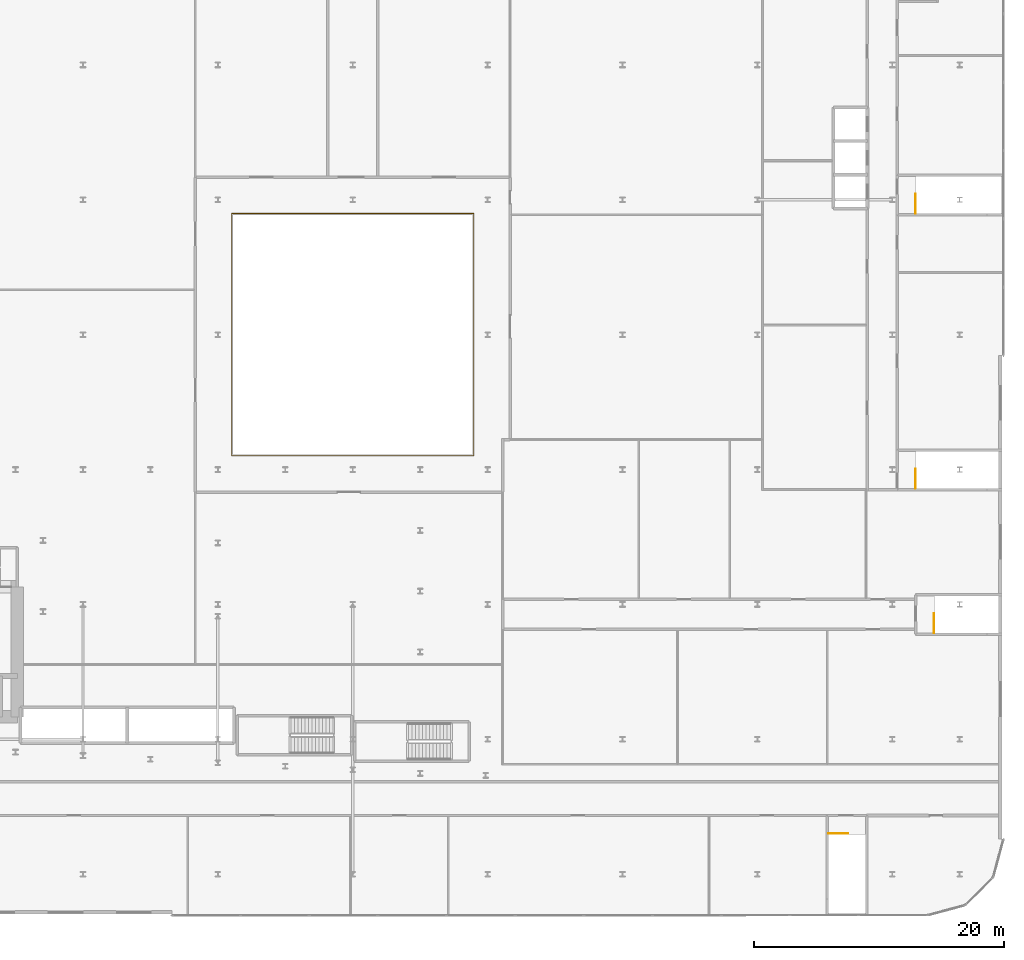
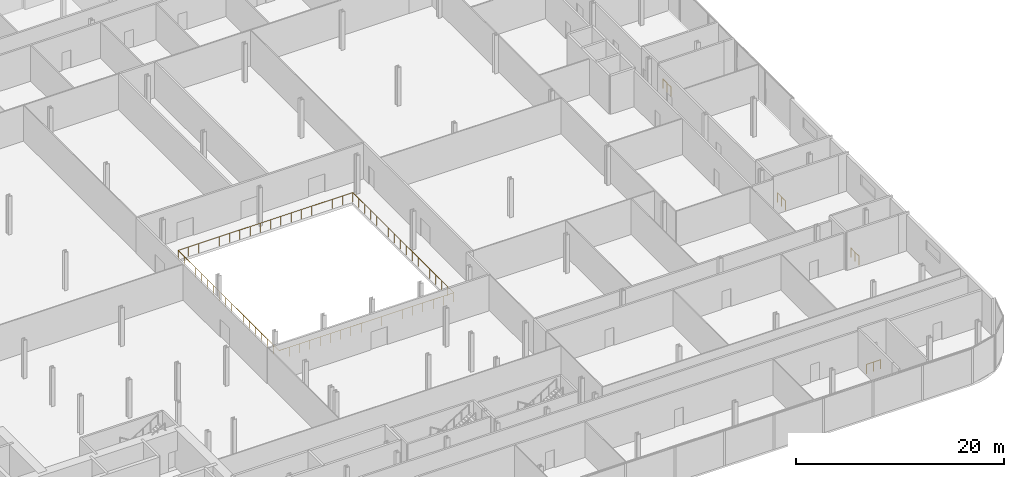
# One storey, part 41 of 43: 5 railings.
"""IFC4 building model written with IfcOpenShell, lengths in metres."""

from ifc_helpers import new_model, si_unit, direction, frame, origin, origin_2d, place, context, subcontext, project, spatial, circle, extrude, material, type_object, element, save


model = new_model("IFC4")

# Units and contexts
model_context = context("Model", 3, precision=1e-05, world=origin(), true_north=direction((0.0, 1.0)))
body_context = subcontext(model_context, "Body", "Model", "MODEL_VIEW")
ifc_project = project(units=[si_unit("LENGTHUNIT", "METRE"), si_unit("AREAUNIT", "SQUARE_METRE"), si_unit("VOLUMEUNIT", "CUBIC_METRE"), si_unit("PLANEANGLEUNIT", "RADIAN"), si_unit("MASSUNIT", "GRAM", prefix="KILO")], contexts=[model_context])

# Site, building, storey
site_placement = place(None, origin())
site = spatial("IfcSite", under=ifc_project, at=site_placement, CompositionType="ELEMENT")
building_placement = place(site_placement, origin())
building = spatial("IfcBuilding", under=site, at=building_placement, Name="Kheshtan School and Residences Tower", CompositionType="ELEMENT")
storey_placement = place(building_placement, frame((0.0, 0.0, 26.0)))
storey = spatial("IfcBuildingStorey", under=building, at=storey_placement, Name="L05", CompositionType="ELEMENT", Elevation=26.0)

# Railings
ifc_material = material(Name="Stainless steel balustrade", Category="steel")
railing_type_1 = type_object("IfcRailingType", Name="Loggia guard 1100", PredefinedType="GUARDRAIL", material=ifc_material)
railing_1_placement = place(storey_placement, frame((89.699951171875, 46.699951171875, 0.0)))
element("IfcRailing", 1, at=railing_1_placement, inside=storey, type_object=railing_type_1, Name="Guard L05 A1", PredefinedType="GUARDRAIL", context=body_context, shape_type="SweptSolid", body=[
    extrude(circle(Radius=0.02392578125, at=origin_2d()), frame((0.0, 0.0, 1.076171875), z_axis=(-1.0, 0.0, 0.0), x_axis=(0.0, -1.0, 0.0)), (0.0, 0.0, 1.0), 19.39990234375),
    extrude(circle(Radius=0.02392578125, at=origin_2d()), frame((-19.39990234375, 0.0, 1.076171875), z_axis=(0.0, 1.0, 0.0), x_axis=(-1.0, 0.0, 0.0)), (0.0, 0.0, 1.0), 19.400146484375),
    extrude(circle(Radius=0.02392578125, at=origin_2d()), frame((-19.39990234375, 19.400146484375, 1.076171875), z_axis=(1.0, 0.0, 0.0), x_axis=(0.0, 1.0, 0.0)), (0.0, 0.0, 1.0), 19.39990234375),
    extrude(circle(Radius=0.02392578125, at=origin_2d()), frame((0.0, 19.400146484375, 1.076171875), z_axis=(0.0, -1.0, 0.0), x_axis=(1.0, 0.0, 0.0)), (0.0, 0.0, 1.0), 19.400146484375),
    extrude(circle(Radius=0.02099609375, at=origin_2d()), origin(), (0.0, 0.0, 1.0), 1.052001953125),
    extrude(circle(Radius=0.02099609375, at=origin_2d()), frame((-1.14111328125, 0.0, 0.0)), (0.0, 0.0, 1.0), 1.052001953125),
    extrude(circle(Radius=0.02099609375, at=origin_2d()), frame((-2.2822265625, 0.0, 0.0)), (0.0, 0.0, 1.0), 1.052001953125),
    extrude(circle(Radius=0.02099609375, at=origin_2d()), frame((-3.423583984375, 0.0, 0.0)), (0.0, 0.0, 1.0), 1.052001953125),
    extrude(circle(Radius=0.02099609375, at=origin_2d()), frame((-4.564697265625, 0.0, 0.0)), (0.0, 0.0, 1.0), 1.052001953125),
    extrude(circle(Radius=0.02099609375, at=origin_2d()), frame((-5.705810546875, 0.0, 0.0)), (0.0, 0.0, 1.0), 1.052001953125),
    extrude(circle(Radius=0.02099609375, at=origin_2d()), frame((-6.846923828125, 0.0, 0.0)), (0.0, 0.0, 1.0), 1.052001953125),
    extrude(circle(Radius=0.02099609375, at=origin_2d()), frame((-7.98828125, 0.0, 0.0)), (0.0, 0.0, 1.0), 1.052001953125),
    extrude(circle(Radius=0.02099609375, at=origin_2d()), frame((-9.12939453125, 0.0, 0.0)), (0.0, 0.0, 1.0), 1.052001953125),
    extrude(circle(Radius=0.02099609375, at=origin_2d()), frame((-10.2705078125, 0.0, 0.0)), (0.0, 0.0, 1.0), 1.052001953125),
    extrude(circle(Radius=0.02099609375, at=origin_2d()), frame((-11.41162109375, 0.0, 0.0)), (0.0, 0.0, 1.0), 1.052001953125),
    extrude(circle(Radius=0.02099609375, at=origin_2d()), frame((-12.552978515625, 0.0, 0.0)), (0.0, 0.0, 1.0), 1.052001953125),
    extrude(circle(Radius=0.02099609375, at=origin_2d()), frame((-13.694091796875, 0.0, 0.0)), (0.0, 0.0, 1.0), 1.052001953125),
    extrude(circle(Radius=0.02099609375, at=origin_2d()), frame((-14.835205078125, 0.0, 0.0)), (0.0, 0.0, 1.0), 1.052001953125),
    extrude(circle(Radius=0.02099609375, at=origin_2d()), frame((-15.976318359375, 0.0, 0.0)), (0.0, 0.0, 1.0), 1.052001953125),
    extrude(circle(Radius=0.02099609375, at=origin_2d()), frame((-17.11767578125, 0.0, 0.0)), (0.0, 0.0, 1.0), 1.052001953125),
    extrude(circle(Radius=0.02099609375, at=origin_2d()), frame((-18.2587890625, 0.0, 0.0)), (0.0, 0.0, 1.0), 1.052001953125),
    extrude(circle(Radius=0.02099609375, at=origin_2d()), frame((-19.39990234375, 0.0, 0.0)), (0.0, 0.0, 1.0), 1.052001953125),
    extrude(circle(Radius=0.02099609375, at=origin_2d()), frame((-19.39990234375, 1.14111328125, 0.0)), (0.0, 0.0, 1.0), 1.052001953125),
    extrude(circle(Radius=0.02099609375, at=origin_2d()), frame((-19.39990234375, 2.282470703125, 0.0)), (0.0, 0.0, 1.0), 1.052001953125),
    extrude(circle(Radius=0.02099609375, at=origin_2d()), frame((-19.39990234375, 3.423583984375, 0.0)), (0.0, 0.0, 1.0), 1.052001953125),
    extrude(circle(Radius=0.02099609375, at=origin_2d()), frame((-19.39990234375, 4.564697265625, 0.0)), (0.0, 0.0, 1.0), 1.052001953125),
    extrude(circle(Radius=0.02099609375, at=origin_2d()), frame((-19.39990234375, 5.705810546875, 0.0)), (0.0, 0.0, 1.0), 1.052001953125),
    extrude(circle(Radius=0.02099609375, at=origin_2d()), frame((-19.39990234375, 6.84716796875, 0.0)), (0.0, 0.0, 1.0), 1.052001953125),
    extrude(circle(Radius=0.02099609375, at=origin_2d()), frame((-19.39990234375, 7.98828125, 0.0)), (0.0, 0.0, 1.0), 1.052001953125),
    extrude(circle(Radius=0.02099609375, at=origin_2d()), frame((-19.39990234375, 9.12939453125, 0.0)), (0.0, 0.0, 1.0), 1.052001953125),
    extrude(circle(Radius=0.02099609375, at=origin_2d()), frame((-19.39990234375, 10.270751953125, 0.0)), (0.0, 0.0, 1.0), 1.052001953125),
    extrude(circle(Radius=0.02099609375, at=origin_2d()), frame((-19.39990234375, 11.411865234375, 0.0)), (0.0, 0.0, 1.0), 1.052001953125),
    extrude(circle(Radius=0.02099609375, at=origin_2d()), frame((-19.39990234375, 12.552978515625, 0.0)), (0.0, 0.0, 1.0), 1.052001953125),
    extrude(circle(Radius=0.02099609375, at=origin_2d()), frame((-19.39990234375, 13.6943359375, 0.0)), (0.0, 0.0, 1.0), 1.052001953125),
    extrude(circle(Radius=0.02099609375, at=origin_2d()), frame((-19.39990234375, 14.83544921875, 0.0)), (0.0, 0.0, 1.0), 1.052001953125),
    extrude(circle(Radius=0.02099609375, at=origin_2d()), frame((-19.39990234375, 15.9765625, 0.0)), (0.0, 0.0, 1.0), 1.052001953125),
    extrude(circle(Radius=0.02099609375, at=origin_2d()), frame((-19.39990234375, 17.11767578125, 0.0)), (0.0, 0.0, 1.0), 1.052001953125),
    extrude(circle(Radius=0.02099609375, at=origin_2d()), frame((-19.39990234375, 18.259033203125, 0.0)), (0.0, 0.0, 1.0), 1.052001953125),
    extrude(circle(Radius=0.02099609375, at=origin_2d()), frame((-19.39990234375, 19.400146484375, 0.0)), (0.0, 0.0, 1.0), 1.052001953125),
    extrude(circle(Radius=0.02099609375, at=origin_2d()), frame((-18.2587890625, 19.400146484375, 0.0)), (0.0, 0.0, 1.0), 1.052001953125),
    extrude(circle(Radius=0.02099609375, at=origin_2d()), frame((-17.11767578125, 19.400146484375, 0.0)), (0.0, 0.0, 1.0), 1.052001953125),
    extrude(circle(Radius=0.02099609375, at=origin_2d()), frame((-15.976318359375, 19.400146484375, 0.0)), (0.0, 0.0, 1.0), 1.052001953125),
    extrude(circle(Radius=0.02099609375, at=origin_2d()), frame((-14.835205078125, 19.400146484375, 0.0)), (0.0, 0.0, 1.0), 1.052001953125),
    extrude(circle(Radius=0.02099609375, at=origin_2d()), frame((-13.694091796875, 19.400146484375, 0.0)), (0.0, 0.0, 1.0), 1.052001953125),
    extrude(circle(Radius=0.02099609375, at=origin_2d()), frame((-12.552978515625, 19.400146484375, 0.0)), (0.0, 0.0, 1.0), 1.052001953125),
    extrude(circle(Radius=0.02099609375, at=origin_2d()), frame((-11.41162109375, 19.400146484375, 0.0)), (0.0, 0.0, 1.0), 1.052001953125),
    extrude(circle(Radius=0.02099609375, at=origin_2d()), frame((-10.2705078125, 19.400146484375, 0.0)), (0.0, 0.0, 1.0), 1.052001953125),
    extrude(circle(Radius=0.02099609375, at=origin_2d()), frame((-9.12939453125, 19.400146484375, 0.0)), (0.0, 0.0, 1.0), 1.052001953125),
    extrude(circle(Radius=0.02099609375, at=origin_2d()), frame((-7.98828125, 19.400146484375, 0.0)), (0.0, 0.0, 1.0), 1.052001953125),
    extrude(circle(Radius=0.02099609375, at=origin_2d()), frame((-6.846923828125, 19.400146484375, 0.0)), (0.0, 0.0, 1.0), 1.052001953125),
    extrude(circle(Radius=0.02099609375, at=origin_2d()), frame((-5.705810546875, 19.400146484375, 0.0)), (0.0, 0.0, 1.0), 1.052001953125),
    extrude(circle(Radius=0.02099609375, at=origin_2d()), frame((-4.564697265625, 19.400146484375, 0.0)), (0.0, 0.0, 1.0), 1.052001953125),
    extrude(circle(Radius=0.02099609375, at=origin_2d()), frame((-3.423583984375, 19.400146484375, 0.0)), (0.0, 0.0, 1.0), 1.052001953125),
    extrude(circle(Radius=0.02099609375, at=origin_2d()), frame((-2.2822265625, 19.400146484375, 0.0)), (0.0, 0.0, 1.0), 1.052001953125),
    extrude(circle(Radius=0.02099609375, at=origin_2d()), frame((-1.14111328125, 19.400146484375, 0.0)), (0.0, 0.0, 1.0), 1.052001953125),
    extrude(circle(Radius=0.02099609375, at=origin_2d()), frame((0.0, 19.400146484375, 0.0)), (0.0, 0.0, 1.0), 1.052001953125),
    extrude(circle(Radius=0.02099609375, at=origin_2d()), frame((0.0, 18.259033203125, 0.0)), (0.0, 0.0, 1.0), 1.052001953125),
    extrude(circle(Radius=0.02099609375, at=origin_2d()), frame((0.0, 17.11767578125, 0.0)), (0.0, 0.0, 1.0), 1.052001953125),
    extrude(circle(Radius=0.02099609375, at=origin_2d()), frame((0.0, 15.9765625, 0.0)), (0.0, 0.0, 1.0), 1.052001953125),
    extrude(circle(Radius=0.02099609375, at=origin_2d()), frame((0.0, 14.83544921875, 0.0)), (0.0, 0.0, 1.0), 1.052001953125),
    extrude(circle(Radius=0.02099609375, at=origin_2d()), frame((0.0, 13.6943359375, 0.0)), (0.0, 0.0, 1.0), 1.052001953125),
    extrude(circle(Radius=0.02099609375, at=origin_2d()), frame((0.0, 12.552978515625, 0.0)), (0.0, 0.0, 1.0), 1.052001953125),
    extrude(circle(Radius=0.02099609375, at=origin_2d()), frame((0.0, 11.411865234375, 0.0)), (0.0, 0.0, 1.0), 1.052001953125),
    extrude(circle(Radius=0.02099609375, at=origin_2d()), frame((0.0, 10.270751953125, 0.0)), (0.0, 0.0, 1.0), 1.052001953125),
    extrude(circle(Radius=0.02099609375, at=origin_2d()), frame((0.0, 9.12939453125, 0.0)), (0.0, 0.0, 1.0), 1.052001953125),
    extrude(circle(Radius=0.02099609375, at=origin_2d()), frame((0.0, 7.98828125, 0.0)), (0.0, 0.0, 1.0), 1.052001953125),
    extrude(circle(Radius=0.02099609375, at=origin_2d()), frame((0.0, 6.84716796875, 0.0)), (0.0, 0.0, 1.0), 1.052001953125),
    extrude(circle(Radius=0.02099609375, at=origin_2d()), frame((0.0, 5.705810546875, 0.0)), (0.0, 0.0, 1.0), 1.052001953125),
    extrude(circle(Radius=0.02099609375, at=origin_2d()), frame((0.0, 4.564697265625, 0.0)), (0.0, 0.0, 1.0), 1.052001953125),
    extrude(circle(Radius=0.02099609375, at=origin_2d()), frame((0.0, 3.423583984375, 0.0)), (0.0, 0.0, 1.0), 1.052001953125),
    extrude(circle(Radius=0.02099609375, at=origin_2d()), frame((0.0, 2.282470703125, 0.0)), (0.0, 0.0, 1.0), 1.052001953125),
    extrude(circle(Radius=0.02099609375, at=origin_2d()), frame((0.0, 1.14111328125, 0.0)), (0.0, 0.0, 1.0), 1.052001953125),
])
railing_type_2 = type_object("IfcRailingType", Name="Stair guard 1100", PredefinedType="GUARDRAIL", material=ifc_material)
railing_2_placement = place(storey_placement, frame((118.10009765625, 16.449951171875, 0.0)))
element("IfcRailing", 2, at=railing_2_placement, inside=storey, type_object=railing_type_2, Name="L05 PS-118-010 top well guard 1", PredefinedType="GUARDRAIL", context=body_context, shape_type="SweptSolid", body=[
    extrude(circle(Radius=0.02392578125, at=origin_2d()), frame((0.0, 0.0, 1.076171875), z_axis=(1.0, 0.0, 0.0), x_axis=(0.0, 1.0, 0.0)), (0.0, 0.0, 1.0), 1.5498046875),
    extrude(circle(Radius=0.02099609375, at=origin_2d()), origin(), (0.0, 0.0, 1.0), 1.052001953125),
    extrude(circle(Radius=0.02099609375, at=origin_2d()), frame((0.77490234375, 0.0, 0.0)), (0.0, 0.0, 1.0), 1.052001953125),
    extrude(circle(Radius=0.02099609375, at=origin_2d()), frame((1.5498046875, 0.0, 0.0)), (0.0, 0.0, 1.0), 1.052001953125),
])
for number, where, name in (
    (3, (125.050048828125, 44.10009765625, 0.0), "L05 PS-124-044 top well guard 1"),
    (4, (125.050048828125, 66.10009765625, 0.0), "L05 PS-124-066 top well guard 1"),
):
    element("IfcRailing", number, at=place(storey_placement, frame(where)), inside=storey, type_object=railing_type_2, Name=name, PredefinedType="GUARDRAIL", context=body_context, shape_type="SweptSolid", body=[
        extrude(circle(Radius=0.02392578125, at=origin_2d()), frame((0.0, 0.0, 1.076171875), z_axis=(0.0, 1.0, 0.0), x_axis=(-1.0, 0.0, 0.0)), (0.0, 0.0, 1.0), 1.5498046875),
        extrude(circle(Radius=0.02099609375, at=origin_2d()), origin(), (0.0, 0.0, 1.0), 1.052001953125),
        extrude(circle(Radius=0.02099609375, at=origin_2d()), frame((0.0, 0.77490234375, 0.0)), (0.0, 0.0, 1.0), 1.052001953125),
        extrude(circle(Radius=0.02099609375, at=origin_2d()), frame((0.0, 1.5498046875, 0.0)), (0.0, 0.0, 1.0), 1.052001953125),
    ])
railing_3_placement = place(storey_placement, frame((126.530029296875, 32.52490234375, 0.0)))
element("IfcRailing", 5, at=railing_3_placement, inside=storey, type_object=railing_type_2, Name="L05 PS-125-032 top well guard 1", PredefinedType="GUARDRAIL", context=body_context, shape_type="SweptSolid", body=[
    extrude(circle(Radius=0.02392578125, at=origin_2d()), frame((0.0, 0.0, 1.076171875), z_axis=(0.0, 1.0, 0.0), x_axis=(-1.0, 0.0, 0.0)), (0.0, 0.0, 1.0), 1.550048828125),
    extrude(circle(Radius=0.02099609375, at=origin_2d()), origin(), (0.0, 0.0, 1.0), 1.052001953125),
    extrude(circle(Radius=0.02099609375, at=origin_2d()), frame((0.0, 0.77490234375, 0.0)), (0.0, 0.0, 1.0), 1.052001953125),
    extrude(circle(Radius=0.02099609375, at=origin_2d()), frame((0.0, 1.550048828125, 0.0)), (0.0, 0.0, 1.0), 1.052001953125),
])

save(model, "model.ifc")
